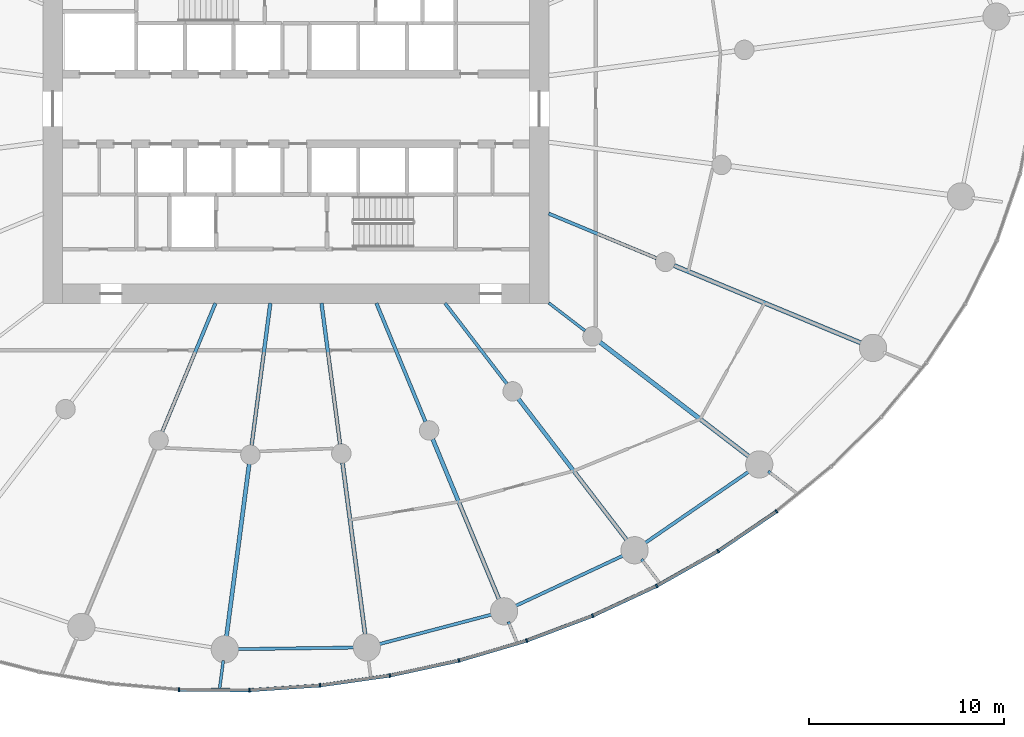
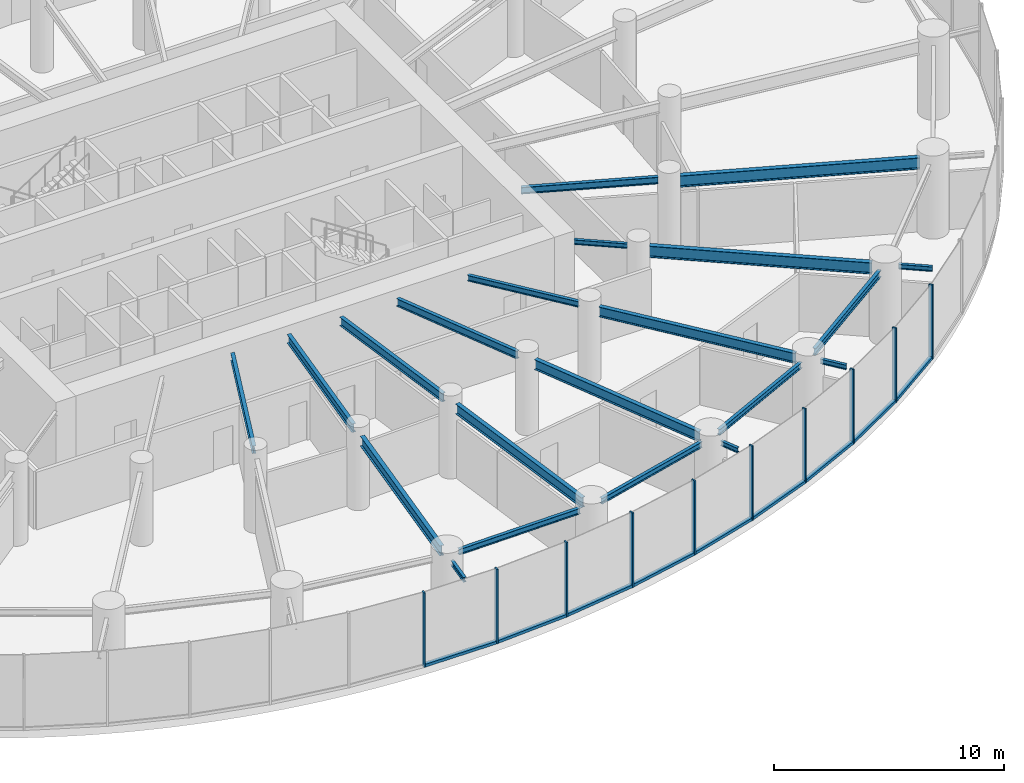
# One storey, part 4 of 19: 21 beams, 19 members, 3 elements without a shape of their own.
"""IFC4 building model written with IfcOpenShell, lengths in metres."""

from ifc_helpers import new_model, si_unit, direction, frame, origin, origin_2d, place, context, subcontext, project, spatial, rectangle, i_section, extrude, source, transform, mapped, material, layer, layer_set, material_profile, profile_set, type_object, element, aggregate, save


model = new_model("IFC4")

# Units and contexts
model_context = context("Model", 3, precision=1e-05, world=origin(), true_north=direction((0.0, 1.0)))
body_context = subcontext(model_context, "Body", "Model", "MODEL_VIEW")
ifc_project = project(units=[si_unit("LENGTHUNIT", "METRE"), si_unit("AREAUNIT", "SQUARE_METRE"), si_unit("VOLUMEUNIT", "CUBIC_METRE"), si_unit("PLANEANGLEUNIT", "RADIAN"), si_unit("MASSUNIT", "GRAM", prefix="KILO")], contexts=[model_context])

# Site, building, storey
site_placement = place(None, origin())
site = spatial("IfcSite", under=ifc_project, at=site_placement, CompositionType="ELEMENT")
building_placement = place(site_placement, origin())
building = spatial("IfcBuilding", under=site, at=building_placement, Name="Spindrift Exchange Tower", CompositionType="ELEMENT")
storey_placement = place(building_placement, frame((0.0, 0.0, 57.800048828125)))
storey = spatial("IfcBuildingStorey", under=building, at=storey_placement, Name="L13", CompositionType="ELEMENT", Elevation=57.800048828125)

# Beams
ifc_material_1 = material(Name="Steel Grade 300", Category="steel")
ifc_material_profile_1 = material_profile(ifc_material_1, i_section(OverallWidth=0.177978515625, OverallDepth=0.406005859375, WebThickness=0.0078125, FlangeThickness=0.0126953125, FilletRadius=0.013916015625, at=origin_2d()), Name="410UB59.7")
ifc_profile_set_1 = profile_set([ifc_material_profile_1], Name="Steel Grade 300")
beam_type_1 = type_object("IfcBeamType", Name="Floor Beam 410UB59.7 Steel Grade 300", PredefinedType="BEAM", material=ifc_profile_set_1)
shared_shape_1 = source(origin(), body_context, "Body", "SweptSolid", [
    extrude(i_section(OverallWidth=0.177978515625, OverallDepth=0.406005859375, WebThickness=0.0078125, FlangeThickness=0.0126953125, FilletRadius=0.013916015625, at=origin_2d()), origin(), (0.0, 0.0, 1.0), 7.150634765625),
])
beam_1_placement = place(storey_placement, frame((47.865478515625, 38.0185546875, 3.7470703125), z_axis=(-0.382665393358, -0.923887004306, 0.0), x_axis=(0.923887004306, -0.382665393358, 0.0)))
element("IfcBeam", 1, at=beam_1_placement, inside=storey, type_object=beam_type_1, Name="L13 radial beam R17A", PredefinedType="BEAM", context=body_context, shape_type="MappedRepresentation", body=[
    mapped(shared_shape_1, transform((0.0, 0.0, 0.0), scale=1.0)),
])
ifc_material_profile_2 = material_profile(ifc_material_1, i_section(OverallWidth=0.18994140625, OverallDepth=0.45703125, WebThickness=0.009033203125, FlangeThickness=0.014404296875, FilletRadius=0.013916015625, at=origin_2d()), Name="460UB74.6")
ifc_profile_set_2 = profile_set([ifc_material_profile_2], Name="Steel Grade 300")
beam_type_2 = type_object("IfcBeamType", Name="Floor Beam 460UB74.6 Steel Grade 300", PredefinedType="BEAM", material=ifc_profile_set_2)
shared_shape_2 = source(origin(), body_context, "Body", "SweptSolid", [
    extrude(i_section(OverallWidth=0.18994140625, OverallDepth=0.45703125, WebThickness=0.009033203125, FlangeThickness=0.014404296875, FilletRadius=0.013916015625, at=origin_2d()), origin(), (0.0, 0.0, 1.0), 7.374267578125),
])
beam_2_placement = place(storey_placement, frame((50.68603515625, 38.019775390625, 3.721435546875), z_axis=(-0.130539295622, -0.99144313619, 0.0), x_axis=(0.99144313619, -0.130539295622, 0.0)))
element("IfcBeam", 2, at=beam_2_placement, inside=storey, type_object=beam_type_2, Name="L13 radial beam R18A", PredefinedType="BEAM", context=body_context, shape_type="MappedRepresentation", body=[
    mapped(shared_shape_2, transform((0.0, 0.0, 0.0), scale=1.0)),
])
ifc_material_profile_3 = material_profile(ifc_material_1, i_section(OverallWidth=0.208984375, OverallDepth=0.532958984375, WebThickness=0.01025390625, FlangeThickness=0.015625, FilletRadius=0.013916015625, at=origin_2d()), Name="530UB92.4")
ifc_profile_set_3 = profile_set([ifc_material_profile_3], Name="Steel Grade 300")
beam_type_3 = type_object("IfcBeamType", Name="Floor Beam 530UB92.4 Steel Grade 300", PredefinedType="BEAM", material=ifc_profile_set_3)
shared_shape_3 = source(origin(), body_context, "Body", "SweptSolid", [
    extrude(i_section(OverallWidth=0.208984375, OverallDepth=0.532958984375, WebThickness=0.01025390625, FlangeThickness=0.015625, FilletRadius=0.013916015625, at=origin_2d()), origin(), (0.0, 0.0, 1.0), 9.020263671875),
])
beam_3_placement = place(storey_placement, frame((49.59814453125, 29.7568359375, 3.683349609375), z_axis=(-0.13051122338, -0.991446831944, 0.0), x_axis=(0.991446831944, -0.13051122338, 0.0)))
element("IfcBeam", 3, at=beam_3_placement, inside=storey, type_object=beam_type_3, Name="L13 radial beam R18B", PredefinedType="BEAM", context=body_context, shape_type="MappedRepresentation", body=[
    mapped(shared_shape_3, transform((0.0, 0.0, 0.0), scale=1.0)),
])
shared_shape_4 = source(origin(), body_context, "Body", "SweptSolid", [
    extrude(i_section(OverallWidth=0.18994140625, OverallDepth=0.45703125, WebThickness=0.009033203125, FlangeThickness=0.014404296875, FilletRadius=0.013916015625, at=origin_2d()), origin(), (0.0, 0.0, 1.0), 7.3095703125),
])
beam_4_placement = place(storey_placement, frame((53.31396484375, 38.019775390625, 3.721435546875), z_axis=(0.130527087244, -0.991444743541, 0.0), x_axis=(0.991444743541, 0.130527087244, 0.0)))
element("IfcBeam", 4, at=beam_4_placement, inside=storey, type_object=beam_type_2, Name="L13 radial beam R19A", PredefinedType="BEAM", context=body_context, shape_type="MappedRepresentation", body=[
    mapped(shared_shape_4, transform((0.0, 0.0, 0.0), scale=1.0)),
])
shared_shape_5 = source(origin(), body_context, "Body", "SweptSolid", [
    extrude(i_section(OverallWidth=0.208984375, OverallDepth=0.532958984375, WebThickness=0.01025390625, FlangeThickness=0.015625, FilletRadius=0.013916015625, at=origin_2d()), origin(), (0.0, 0.0, 1.0), 8.98388671875),
])
beam_5_placement = place(storey_placement, frame((54.393310546875, 29.82080078125, 3.683349609375), z_axis=(0.130524106785, -0.991445135924, 0.0), x_axis=(0.991445135924, 0.130524106785, 0.0)))
element("IfcBeam", 5, at=beam_5_placement, inside=storey, type_object=beam_type_3, Name="L13 radial beam R19B", PredefinedType="BEAM", context=body_context, shape_type="MappedRepresentation", body=[
    mapped(shared_shape_5, transform((0.0, 0.0, 0.0), scale=1.0)),
])
shared_shape_6 = source(origin(), body_context, "Body", "SweptSolid", [
    extrude(i_section(OverallWidth=0.177978515625, OverallDepth=0.406005859375, WebThickness=0.0078125, FlangeThickness=0.0126953125, FilletRadius=0.013916015625, at=origin_2d()), origin(), (0.0, 0.0, 1.0), 6.594482421875),
])
beam_6_placement = place(storey_placement, frame((56.134521484375, 38.0185546875, 3.7470703125), z_axis=(0.382692929746, -0.92387559851, 0.0), x_axis=(0.92387559851, 0.382692929746, 0.0)))
element("IfcBeam", 6, at=beam_6_placement, inside=storey, type_object=beam_type_1, Name="L13 radial beam R20A", PredefinedType="BEAM", context=body_context, shape_type="MappedRepresentation", body=[
    mapped(shared_shape_6, transform((0.0, 0.0, 0.0), scale=1.0)),
])
shared_shape_7 = source(origin(), body_context, "Body", "SweptSolid", [
    extrude(i_section(OverallWidth=0.208984375, OverallDepth=0.532958984375, WebThickness=0.01025390625, FlangeThickness=0.015625, FilletRadius=0.013916015625, at=origin_2d()), origin(), (0.0, 0.0, 1.0), 8.99658203125),
])
beam_7_placement = place(storey_placement, frame((59.025390625, 31.0390625, 3.683349609375), z_axis=(0.382685731718, -0.923878580085, 0.0), x_axis=(0.923878580085, 0.382685731718, 0.0)))
element("IfcBeam", 7, at=beam_7_placement, inside=storey, type_object=beam_type_3, Name="L13 radial beam R20B", PredefinedType="BEAM", context=body_context, shape_type="MappedRepresentation", body=[
    mapped(shared_shape_7, transform((0.0, 0.0, 0.0), scale=1.0)),
])
ifc_material_profile_4 = material_profile(ifc_material_1, i_section(OverallWidth=0.1650390625, OverallDepth=0.303955078125, WebThickness=0.006103515625, FlangeThickness=0.01025390625, FilletRadius=0.011474609375, at=origin_2d()), Name="310UB40.4")
ifc_profile_set_4 = profile_set([ifc_material_profile_4], Name="Steel Grade 300")
beam_type_4 = type_object("IfcBeamType", Name="Floor Beam 310UB40.4 Steel Grade 300", PredefinedType="BEAM", material=ifc_profile_set_4)
shared_shape_8 = source(origin(), body_context, "Body", "SweptSolid", [
    extrude(i_section(OverallWidth=0.1650390625, OverallDepth=0.303955078125, WebThickness=0.006103515625, FlangeThickness=0.01025390625, FilletRadius=0.011474609375, at=origin_2d()), origin(), (0.0, 0.0, 1.0), 5.224609375),
])
beam_8_placement = place(storey_placement, frame((59.6611328125, 38.015869140625, 3.7978515625), z_axis=(0.608741499316, -0.793368632485, 0.0), x_axis=(0.793368632485, 0.608741499316, 0.0)))
element("IfcBeam", 8, at=beam_8_placement, inside=storey, type_object=beam_type_4, Name="L13 radial beam R21A", PredefinedType="BEAM", context=body_context, shape_type="MappedRepresentation", body=[
    mapped(shared_shape_8, transform((0.0, 0.0, 0.0), scale=1.0)),
])
shared_shape_9 = source(origin(), body_context, "Body", "SweptSolid", [
    extrude(i_section(OverallWidth=0.208984375, OverallDepth=0.532958984375, WebThickness=0.01025390625, FlangeThickness=0.015625, FilletRadius=0.013916015625, at=origin_2d()), origin(), (0.0, 0.0, 1.0), 9.227783203125),
])
beam_9_placement = place(storey_placement, frame((63.426025390625, 33.109375, 3.683349609375), z_axis=(0.608747534474, -0.79336400175, 0.0), x_axis=(0.79336400175, 0.608747534474, 0.0)))
element("IfcBeam", 9, at=beam_9_placement, inside=storey, type_object=beam_type_3, Name="L13 radial beam R21B", PredefinedType="BEAM", context=body_context, shape_type="MappedRepresentation", body=[
    mapped(shared_shape_9, transform((0.0, 0.0, 0.0), scale=1.0)),
])
ifc_material_profile_5 = material_profile(ifc_material_1, i_section(OverallWidth=0.14599609375, OverallDepth=0.251953125, WebThickness=0.006103515625, FlangeThickness=0.008544921875, FilletRadius=0.011962890625, at=origin_2d()), Name="250UB31.4")
ifc_profile_set_5 = profile_set([ifc_material_profile_5], Name="Steel Grade 300")
beam_type_5 = type_object("IfcBeamType", Name="Floor Beam 250UB31.4 Steel Grade 300", PredefinedType="BEAM", material=ifc_profile_set_5)
shared_shape_10 = source(origin(), body_context, "Body", "SweptSolid", [
    extrude(i_section(OverallWidth=0.14599609375, OverallDepth=0.251953125, WebThickness=0.006103515625, FlangeThickness=0.008544921875, FilletRadius=0.011962890625, at=origin_2d()), origin(), (0.0, 0.0, 1.0), 2.353759765625),
])
beam_10_placement = place(storey_placement, frame((64.984130859375, 38.036865234375, 3.823974609375), z_axis=(0.793367573265, -0.608742879787, 0.0), x_axis=(0.608742879787, 0.793367573265, 0.0)))
element("IfcBeam", 10, at=beam_10_placement, inside=storey, type_object=beam_type_5, Name="L13 radial beam R22A", PredefinedType="BEAM", context=body_context, shape_type="MappedRepresentation", body=[
    mapped(shared_shape_10, transform((0.0, 0.0, 0.0), scale=1.0)),
])
ifc_material_profile_6 = material_profile(ifc_material_1, i_section(OverallWidth=0.22802734375, OverallDepth=0.60693359375, WebThickness=0.01123046875, FlangeThickness=0.017333984375, FilletRadius=0.013916015625, at=origin_2d()), Name="610UB113")
ifc_profile_set_6 = profile_set([ifc_material_profile_6], Name="Steel Grade 300")
beam_type_6 = type_object("IfcBeamType", Name="Floor Beam 610UB113 Steel Grade 300", PredefinedType="BEAM", material=ifc_profile_set_6)
shared_shape_11 = source(origin(), body_context, "Body", "SweptSolid", [
    extrude(i_section(OverallWidth=0.22802734375, OverallDepth=0.60693359375, WebThickness=0.01123046875, FlangeThickness=0.017333984375, FilletRadius=0.013916015625, at=origin_2d()), origin(), (0.0, 0.0, 1.0), 9.73974609375),
])
beam_11_placement = place(storey_placement, frame((67.61328125, 36.01953125, 3.646484375), z_axis=(0.793352119621, -0.608763019814, 0.0), x_axis=(0.608763019814, 0.793352119621, 0.0)))
element("IfcBeam", 11, at=beam_11_placement, inside=storey, type_object=beam_type_6, Name="L13 radial beam R22B", PredefinedType="BEAM", context=body_context, shape_type="MappedRepresentation", body=[
    mapped(shared_shape_11, transform((0.0, 0.0, 0.0), scale=1.0)),
])
ifc_material_profile_7 = material_profile(ifc_material_1, i_section(OverallWidth=0.172119140625, OverallDepth=0.35888671875, WebThickness=0.008056640625, FlangeThickness=0.012939453125, FilletRadius=0.013916015625, at=origin_2d()), Name="360UB56.7")
ifc_profile_set_7 = profile_set([ifc_material_profile_7], Name="Steel Grade 300")
beam_type_7 = type_object("IfcBeamType", Name="Floor Beam 360UB56.7 Steel Grade 300", PredefinedType="BEAM", material=ifc_profile_set_7)
shared_shape_12 = source(origin(), body_context, "Body", "SweptSolid", [
    extrude(i_section(OverallWidth=0.172119140625, OverallDepth=0.35888671875, WebThickness=0.008056640625, FlangeThickness=0.012939453125, FilletRadius=0.013916015625, at=origin_2d()), origin(), (0.0, 0.0, 1.0), 6.004638671875),
])
beam_12_placement = place(storey_placement, frame((64.9814453125, 42.622802734375, 3.7705078125), z_axis=(0.923882044911, -0.38267736684, 0.0), x_axis=(0.38267736684, 0.923882044911, 0.0)))
element("IfcBeam", 12, at=beam_12_placement, inside=storey, type_object=beam_type_7, Name="L13 radial beam R23A", PredefinedType="BEAM", context=body_context, shape_type="MappedRepresentation", body=[
    mapped(shared_shape_12, transform((0.0, 0.0, 0.0), scale=1.0)),
])
shared_shape_13 = source(origin(), body_context, "Body", "SweptSolid", [
    extrude(i_section(OverallWidth=0.22802734375, OverallDepth=0.60693359375, WebThickness=0.01123046875, FlangeThickness=0.017333984375, FilletRadius=0.013916015625, at=origin_2d()), origin(), (0.0, 0.0, 1.0), 10.4912109375),
])
beam_13_placement = place(storey_placement, frame((71.416015625, 39.95751953125, 3.646484375), z_axis=(0.923885231151, -0.382669674342, 0.0), x_axis=(0.382669674342, 0.923885231151, 0.0)))
element("IfcBeam", 13, at=beam_13_placement, inside=storey, type_object=beam_type_6, Name="L13 radial beam R23B", PredefinedType="BEAM", context=body_context, shape_type="MappedRepresentation", body=[
    mapped(shared_shape_13, transform((0.0, 0.0, 0.0), scale=1.0)),
])
ifc_material_profile_8 = material_profile(ifc_material_1, i_section(OverallWidth=0.1650390625, OverallDepth=0.303955078125, WebThickness=0.006103515625, FlangeThickness=0.01025390625, FilletRadius=0.011474609375, at=origin_2d()), Name="310UB40.4")
ifc_profile_set_8 = profile_set([ifc_material_profile_8], Name="Steel Grade 300")
beam_type_8 = type_object("IfcBeamType", Name="Edge Beam 310UB40.4 Steel Grade 300", PredefinedType="SPANDREL", material=ifc_profile_set_8)
shared_shape_14 = source(origin(), body_context, "Body", "SweptSolid", [
    extrude(i_section(OverallWidth=0.1650390625, OverallDepth=0.303955078125, WebThickness=0.006103515625, FlangeThickness=0.01025390625, FilletRadius=0.011474609375, at=origin_2d()), origin(), (0.0, 0.0, 1.0), 6.13720703125),
])
beam_14_placement = place(storey_placement, frame((48.925048828125, 20.24658203125, 3.7978515625), z_axis=(0.999905820907, 0.013724041543, 0.0), x_axis=(-0.013724041543, 0.999905820907, 0.0)))
element("IfcBeam", 14, at=beam_14_placement, inside=storey, type_object=beam_type_8, Name="L13 edge beam E18", PredefinedType="SPANDREL", context=body_context, shape_type="MappedRepresentation", body=[
    mapped(shared_shape_14, transform((0.0, 0.0, 0.0), scale=1.0)),
])
shared_shape_15 = source(origin(), body_context, "Body", "SweptSolid", [
    extrude(i_section(OverallWidth=0.1650390625, OverallDepth=0.303955078125, WebThickness=0.006103515625, FlangeThickness=0.01025390625, FilletRadius=0.011474609375, at=origin_2d()), origin(), (0.0, 0.0, 1.0), 6.128173828125),
])
beam_15_placement = place(storey_placement, frame((56.20263671875, 20.486083984375, 3.7978515625), z_axis=(0.967147261855, 0.254216785216, 0.0), x_axis=(-0.254216785216, 0.967147261855, 0.0)))
element("IfcBeam", 15, at=beam_15_placement, inside=storey, type_object=beam_type_8, Name="L13 edge beam E19", PredefinedType="SPANDREL", context=body_context, shape_type="MappedRepresentation", body=[
    mapped(shared_shape_15, transform((0.0, 0.0, 0.0), scale=1.0)),
])
shared_shape_16 = source(origin(), body_context, "Body", "SweptSolid", [
    extrude(i_section(OverallWidth=0.1650390625, OverallDepth=0.303955078125, WebThickness=0.006103515625, FlangeThickness=0.01025390625, FilletRadius=0.011474609375, at=origin_2d()), origin(), (0.0, 0.0, 1.0), 6.243408203125),
])
beam_16_placement = place(storey_placement, frame((63.2158203125, 22.43701171875, 3.7978515625), z_axis=(0.905791146607, 0.423724437257, 0.0), x_axis=(-0.423724437257, 0.905791146607, 0.0)))
element("IfcBeam", 16, at=beam_16_placement, inside=storey, type_object=beam_type_8, Name="L13 edge beam E20", PredefinedType="SPANDREL", context=body_context, shape_type="MappedRepresentation", body=[
    mapped(shared_shape_16, transform((0.0, 0.0, 0.0), scale=1.0)),
])
ifc_material_profile_9 = material_profile(ifc_material_1, i_section(OverallWidth=0.172119140625, OverallDepth=0.35888671875, WebThickness=0.008056640625, FlangeThickness=0.012939453125, FilletRadius=0.013916015625, at=origin_2d()), Name="360UB56.7")
ifc_profile_set_9 = profile_set([ifc_material_profile_9], Name="Steel Grade 300")
beam_type_9 = type_object("IfcBeamType", Name="Edge Beam 360UB56.7 Steel Grade 300", PredefinedType="SPANDREL", material=ifc_profile_set_9)
shared_shape_17 = source(origin(), body_context, "Body", "SweptSolid", [
    extrude(i_section(OverallWidth=0.172119140625, OverallDepth=0.35888671875, WebThickness=0.008056640625, FlangeThickness=0.012939453125, FilletRadius=0.013916015625, at=origin_2d()), origin(), (0.0, 0.0, 1.0), 6.614990234375),
])
beam_17_placement = place(storey_placement, frame((69.874267578125, 25.6572265625, 3.7705078125), z_axis=(0.823690708835, 0.567039342708, 0.0), x_axis=(-0.567039342708, 0.823690708835, 0.0)))
element("IfcBeam", 17, at=beam_17_placement, inside=storey, type_object=beam_type_9, Name="L13 edge beam E21", PredefinedType="SPANDREL", context=body_context, shape_type="MappedRepresentation", body=[
    mapped(shared_shape_17, transform((0.0, 0.0, 0.0), scale=1.0)),
])
ifc_material_profile_10 = material_profile(ifc_material_1, i_section(OverallWidth=0.14599609375, OverallDepth=0.251953125, WebThickness=0.006103515625, FlangeThickness=0.008544921875, FilletRadius=0.011962890625, at=origin_2d()), Name="250UB31.4")
ifc_profile_set_10 = profile_set([ifc_material_profile_10], Name="Steel Grade 300")
beam_type_10 = type_object("IfcBeamType", Name="Cantilever Beam 250UB31.4 Steel Grade 300", PredefinedType="BEAM", material=ifc_profile_set_10)
shared_shape_18 = source(origin(), body_context, "Body", "SweptSolid", [
    extrude(i_section(OverallWidth=0.14599609375, OverallDepth=0.251953125, WebThickness=0.006103515625, FlangeThickness=0.008544921875, FilletRadius=0.011962890625, at=origin_2d()), origin(), (0.0, 0.0, 1.0), 1.453125),
])
beam_18_placement = place(storey_placement, frame((48.269287109375, 19.66357421875, 3.823974609375), z_axis=(-0.130380626225, -0.991464014629, 0.0), x_axis=(0.991464014629, -0.130380626225, 0.0)))
element("IfcBeam", 18, at=beam_18_placement, inside=storey, type_object=beam_type_10, Name="L13 cantilever beam R18T", PredefinedType="BEAM", context=body_context, shape_type="MappedRepresentation", body=[
    mapped(shared_shape_18, transform((0.0, 0.0, 0.0), scale=1.0)),
])
shared_shape_19 = source(origin(), body_context, "Body", "SweptSolid", [
    extrude(i_section(OverallWidth=0.14599609375, OverallDepth=0.251953125, WebThickness=0.006103515625, FlangeThickness=0.008544921875, FilletRadius=0.011962890625, at=origin_2d()), origin(), (0.0, 0.0, 1.0), 0.92138671875),
])
beam_19_placement = place(storey_placement, frame((62.912109375, 21.655517578125, 3.823974609375), z_axis=(0.382921262759, -0.923780984069, 0.0), x_axis=(0.923780984069, 0.382921262759, 0.0)))
element("IfcBeam", 19, at=beam_19_placement, inside=storey, type_object=beam_type_10, Name="L13 cantilever beam R20T", PredefinedType="BEAM", context=body_context, shape_type="MappedRepresentation", body=[
    mapped(shared_shape_19, transform((0.0, 0.0, 0.0), scale=1.0)),
])
shared_shape_20 = source(origin(), body_context, "Body", "SweptSolid", [
    extrude(i_section(OverallWidth=0.14599609375, OverallDepth=0.251953125, WebThickness=0.006103515625, FlangeThickness=0.008544921875, FilletRadius=0.011962890625, at=origin_2d()), origin(), (0.0, 0.0, 1.0), 1.209716796875),
])
beam_20_placement = place(storey_placement, frame((69.749755859375, 24.8681640625, 3.823974609375), z_axis=(0.608617930823, -0.793463429706, 0.0), x_axis=(0.793463429706, 0.608617930823, 0.0)))
element("IfcBeam", 20, at=beam_20_placement, inside=storey, type_object=beam_type_10, Name="L13 cantilever beam R21T", PredefinedType="BEAM", context=body_context, shape_type="MappedRepresentation", body=[
    mapped(shared_shape_20, transform((0.0, 0.0, 0.0), scale=1.0)),
])
shared_shape_21 = source(origin(), body_context, "Body", "SweptSolid", [
    extrude(i_section(OverallWidth=0.14599609375, OverallDepth=0.251953125, WebThickness=0.006103515625, FlangeThickness=0.008544921875, FilletRadius=0.011962890625, at=origin_2d()), origin(), (0.0, 0.0, 1.0), 1.48291015625),
])
beam_21_placement = place(storey_placement, frame((76.2607421875, 29.384033203125, 3.823974609375), z_axis=(0.793333363802, -0.608787461992, 0.0), x_axis=(0.608787461992, 0.793333363802, 0.0)))
element("IfcBeam", 21, at=beam_21_placement, inside=storey, type_object=beam_type_10, Name="L13 cantilever beam R22T", PredefinedType="BEAM", context=body_context, shape_type="MappedRepresentation", body=[
    mapped(shared_shape_21, transform((0.0, 0.0, 0.0), scale=1.0)),
])

# Curtain wall, member
ifc_material_2 = material(Name="Fritted laminated glass with bronze frame", Category="glass")
ifc_layer = layer(ifc_material_2, 0.199951171875)
ifc_layer_set = layer_set([ifc_layer], Name="ZONE 1 BRONZE FRITTED WALL")
curtain_wall_type = type_object("IfcCurtainWallType", Name="ZONE 1 BRONZE FRITTED WALL", PredefinedType="NOTDEFINED", material=ifc_layer_set)
curtain_wall_1_placement = place(storey_placement, origin())
curtain_wall_1 = element("IfcCurtainWall", 22, at=curtain_wall_1_placement, inside=storey, type_object=curtain_wall_type, Name="L13 Zone 1 Bronze Fritted Wall run 7", PredefinedType="NOTDEFINED")
ifc_material_3 = material(Name="Bronze anodised aluminium", Category="aluminium")
ifc_material_profile_11 = material_profile(ifc_material_3, rectangle(XDim=0.080078125, YDim=0.199951171875, at=origin_2d()), Name="ZONE 1 BRONZE FRITTED WALL MULLION 80X200")
ifc_profile_set_11 = profile_set([ifc_material_profile_11], Name="Bronze anodised aluminium")
member_type_1 = type_object("IfcMemberType", Name="ZONE 1 BRONZE FRITTED WALL MULLION 80X200", PredefinedType="MULLION", material=ifc_profile_set_11)
shared_shape_22 = source(origin(), body_context, "Body", "SweptSolid", [
    extrude(rectangle(XDim=0.080078125, YDim=0.199951171875, at=origin_2d()), origin(), (0.0, 0.0, 1.0), 3.949951171875),
])
member_1_placement = place(storey_placement, frame((45.988037109375, 18.17041015625, 0.0), z_axis=(0.0, 0.0, 1.0), x_axis=(0.998915668471, -0.046556280823, 0.0)))
member_1 = element("IfcMember", 23, at=member_1_placement, type_object=member_type_1, Name="L13 mullion CW-1.42", PredefinedType="MULLION", context=body_context, shape_type="MappedRepresentation", body=[
    mapped(shared_shape_22, transform((0.0, 0.0, 0.0), scale=1.0)),
])

# Curtain wall, members
curtain_wall_2_placement = place(storey_placement, origin())
curtain_wall_2 = element("IfcCurtainWall", 24, at=curtain_wall_2_placement, inside=storey, type_object=curtain_wall_type, Name="L13 Zone 1 Bronze Fritted Wall run 8", PredefinedType="NOTDEFINED")
member_2_placement = place(storey_placement, frame((49.615234375, 18.1416015625, 0.0), z_axis=(0.0, 0.0, 1.0), x_axis=(0.999565871959, 0.029462987211, 0.0)))
member_2 = element("IfcMember", 25, at=member_2_placement, type_object=member_type_1, Name="L13 mullion CW-1.43", PredefinedType="MULLION", context=body_context, shape_type="MappedRepresentation", body=[
    mapped(shared_shape_22, transform((0.0, 0.0, 0.0), scale=1.0)),
])
member_3_placement = place(storey_placement, frame((53.234619140625, 18.384033203125, 0.0), z_axis=(0.0, 0.0, 1.0), x_axis=(0.994633251449, 0.103463496523, 0.0)))
member_3 = element("IfcMember", 26, at=member_3_placement, type_object=member_type_1, Name="L13 mullion CW-1.44", PredefinedType="MULLION", context=body_context, shape_type="MappedRepresentation", body=[
    mapped(shared_shape_22, transform((0.0, 0.0, 0.0), scale=1.0)),
])
member_4_placement = place(storey_placement, frame((56.826171875, 18.8916015625, 0.0), z_axis=(0.0, 0.0, 1.0), x_axis=(0.984407174982, 0.175904843153, 0.0)))
member_4 = element("IfcMember", 27, at=member_4_placement, type_object=member_type_1, Name="L13 mullion CW-1.45", PredefinedType="MULLION", context=body_context, shape_type="MappedRepresentation", body=[
    mapped(shared_shape_22, transform((0.0, 0.0, 0.0), scale=1.0)),
])
member_5_placement = place(storey_placement, frame((60.371337890625, 19.659423828125, 0.0), z_axis=(0.0, 0.0, 1.0), x_axis=(0.968964679359, 0.247199211477, 0.0)))
member_5 = element("IfcMember", 28, at=member_5_placement, type_object=member_type_1, Name="L13 mullion CW-1.46", PredefinedType="MULLION", context=body_context, shape_type="MappedRepresentation", body=[
    mapped(shared_shape_22, transform((0.0, 0.0, 0.0), scale=1.0)),
])
member_6_placement = place(storey_placement, frame((63.851318359375, 20.683837890625, 0.0), z_axis=(0.0, 0.0, 1.0), x_axis=(0.948171487019, 0.317759077295, 0.0)))
member_6 = element("IfcMember", 29, at=member_6_placement, type_object=member_type_1, Name="L13 mullion CW-1.47", PredefinedType="MULLION", context=body_context, shape_type="MappedRepresentation", body=[
    mapped(shared_shape_22, transform((0.0, 0.0, 0.0), scale=1.0)),
])
member_7_placement = place(storey_placement, frame((67.24560546875, 21.963134765625, 0.0), z_axis=(0.0, 0.0, 1.0), x_axis=(0.921696666334, 0.387911401314, 0.0)))
member_7 = element("IfcMember", 30, at=member_7_placement, type_object=member_type_1, Name="L13 mullion CW-1.48", PredefinedType="MULLION", context=body_context, shape_type="MappedRepresentation", body=[
    mapped(shared_shape_22, transform((0.0, 0.0, 0.0), scale=1.0)),
])

curtain_wall_3_placement = place(storey_placement, origin())
curtain_wall_3 = element("IfcCurtainWall", 31, at=curtain_wall_3_placement, inside=storey, type_object=curtain_wall_type, Name="L13 Zone 1 Bronze Fritted Wall run 9", PredefinedType="NOTDEFINED")
member_8_placement = place(storey_placement, frame((70.532958984375, 23.49609375, 0.0), z_axis=(0.0, 0.0, 1.0), x_axis=(0.888988187367, 0.457930128646, 0.0)))
member_8 = element("IfcMember", 32, at=member_8_placement, type_object=member_type_1, Name="L13 mullion CW-1.49", PredefinedType="MULLION", context=body_context, shape_type="MappedRepresentation", body=[
    mapped(shared_shape_22, transform((0.0, 0.0, 0.0), scale=1.0)),
])
member_9_placement = place(storey_placement, frame((73.689697265625, 25.28271484375, 0.0), z_axis=(0.0, 0.0, 1.0), x_axis=(0.849251017437, 0.527989308019, 0.0)))
member_9 = element("IfcMember", 33, at=member_9_placement, type_object=member_type_1, Name="L13 mullion CW-1.50", PredefinedType="MULLION", context=body_context, shape_type="MappedRepresentation", body=[
    mapped(shared_shape_22, transform((0.0, 0.0, 0.0), scale=1.0)),
])
member_10_placement = place(storey_placement, frame((76.6884765625, 27.322998046875, 0.0), z_axis=(0.0, 0.0, 1.0), x_axis=(0.801437814953, 0.598078112593, 0.0)))
member_10 = element("IfcMember", 34, at=member_10_placement, type_object=member_type_1, Name="L13 mullion CW-1.51", PredefinedType="MULLION", context=body_context, shape_type="MappedRepresentation", body=[
    mapped(shared_shape_22, transform((0.0, 0.0, 0.0), scale=1.0)),
])

# Member
ifc_material_profile_12 = material_profile(ifc_material_3, rectangle(XDim=0.179931640625, YDim=0.14990234375, at=origin_2d()), Name="ZONE 1 BRONZE FRITTED WALL TRANSOM 180X150")
ifc_profile_set_12 = profile_set([ifc_material_profile_12], Name="Bronze anodised aluminium")
member_type_2 = type_object("IfcMemberType", Name="ZONE 1 BRONZE FRITTED WALL TRANSOM 180X150", PredefinedType="USERDEFINED", material=ifc_profile_set_12)
shared_shape_23 = source(origin(), body_context, "Body", "SweptSolid", [
    extrude(rectangle(XDim=0.179931640625, YDim=0.14990234375, at=origin_2d()), origin(), (0.0, 0.0, 1.0), 3.54736328125),
])
member_11_placement = place(storey_placement, frame((49.655029296875, 18.144287109375, 0.074951171875), z_axis=(0.997764708281, 0.066825047023, 0.0), x_axis=(-0.066825047023, 0.997764708281, 0.0)))
member_11 = element("IfcMember", 35, at=member_11_placement, type_object=member_type_2, Name="L13 transom CW-1.43", ObjectType="TRANSOM", PredefinedType="USERDEFINED", context=body_context, shape_type="MappedRepresentation", body=[
    mapped(shared_shape_23, transform((0.0, 0.0, 0.0), scale=1.0)),
])

member_12_placement = place(storey_placement, frame((53.274169921875, 18.3896484375, 0.074951171875), z_axis=(0.990163081717, 0.139918088909, 0.0), x_axis=(-0.139918088909, 0.990163081717, 0.0)))
member_12 = element("IfcMember", 36, at=member_12_placement, type_object=member_type_2, Name="L13 transom CW-1.44", ObjectType="TRANSOM", PredefinedType="USERDEFINED", context=body_context, shape_type="MappedRepresentation", body=[
    mapped(shared_shape_23, transform((0.0, 0.0, 0.0), scale=1.0)),
])

member_13_placement = place(storey_placement, frame((56.865234375, 18.900146484375, 0.074951171875), z_axis=(0.977349956388, 0.211629541292, 0.0), x_axis=(-0.211629541292, 0.977349956388, 0.0)))
member_13 = element("IfcMember", 37, at=member_13_placement, type_object=member_type_2, Name="L13 transom CW-1.45", ObjectType="TRANSOM", PredefinedType="USERDEFINED", context=body_context, shape_type="MappedRepresentation", body=[
    mapped(shared_shape_23, transform((0.0, 0.0, 0.0), scale=1.0)),
])

member_14_placement = place(storey_placement, frame((63.888671875, 20.697998046875, 0.074951171875), z_axis=(0.935750910855, 0.352661640719, 0.0), x_axis=(-0.352661640719, 0.935750910855, 0.0)))
member_14 = element("IfcMember", 38, at=member_14_placement, type_object=member_type_2, Name="L13 transom CW-1.47", ObjectType="TRANSOM", PredefinedType="USERDEFINED", context=body_context, shape_type="MappedRepresentation", body=[
    mapped(shared_shape_23, transform((0.0, 0.0, 0.0), scale=1.0)),
])

member_15_placement = place(storey_placement, frame((70.567626953125, 23.515625, 0.074951171875), z_axis=(0.870272998156, 0.492569699312, 0.0), x_axis=(-0.492569699312, 0.870272998156, 0.0)))
member_15 = element("IfcMember", 39, at=member_15_placement, type_object=member_type_2, Name="L13 transom CW-1.49", ObjectType="TRANSOM", PredefinedType="USERDEFINED", context=body_context, shape_type="MappedRepresentation", body=[
    mapped(shared_shape_23, transform((0.0, 0.0, 0.0), scale=1.0)),
])

member_16_placement = place(storey_placement, frame((73.72265625, 25.30517578125, 0.074951171875), z_axis=(0.826793347167, 0.562505787597, 0.0), x_axis=(-0.562505787597, 0.826793347167, 0.0)))
member_16 = element("IfcMember", 40, at=member_16_placement, type_object=member_type_2, Name="L13 transom CW-1.50", ObjectType="TRANSOM", PredefinedType="USERDEFINED", context=body_context, shape_type="MappedRepresentation", body=[
    mapped(shared_shape_23, transform((0.0, 0.0, 0.0), scale=1.0)),
])

aggregate(curtain_wall_3, [member_8, member_15, member_9, member_16, member_10])

shared_shape_24 = source(origin(), body_context, "Body", "SweptSolid", [
    extrude(rectangle(XDim=0.179931640625, YDim=0.14990234375, at=origin_2d()), origin(), (0.0, 0.0, 1.0), 3.547119140625),
])
member_17_placement = place(storey_placement, frame((46.028076171875, 18.170166015625, 0.074951171875), z_axis=(0.999968129141, -0.007983777478, 0.0), x_axis=(0.007983777478, 0.999968129141, 0.0)))
member_17 = element("IfcMember", 41, at=member_17_placement, type_object=member_type_2, Name="L13 transom CW-1.42", ObjectType="TRANSOM", PredefinedType="USERDEFINED", context=body_context, shape_type="MappedRepresentation", body=[
    mapped(shared_shape_24, transform((0.0, 0.0, 0.0), scale=1.0)),
])

aggregate(curtain_wall_1, [member_1, member_17])

member_18_placement = place(storey_placement, frame((67.28173828125, 21.97998046875, 0.074951171875), z_axis=(0.906316730066, 0.422599082822, 0.0), x_axis=(-0.422599082822, 0.906316730066, 0.0)))
member_18 = element("IfcMember", 42, at=member_18_placement, type_object=member_type_2, Name="L13 transom CW-1.48", ObjectType="TRANSOM", PredefinedType="USERDEFINED", context=body_context, shape_type="MappedRepresentation", body=[
    mapped(shared_shape_24, transform((0.0, 0.0, 0.0), scale=1.0)),
])

shared_shape_25 = source(origin(), body_context, "Body", "SweptSolid", [
    extrude(rectangle(XDim=0.179931640625, YDim=0.14990234375, at=origin_2d()), origin(), (0.0, 0.0, 1.0), 3.547607421875),
])
member_19_placement = place(storey_placement, frame((60.40966796875, 19.670654296875, 0.074951171875), z_axis=(0.959285464953, 0.28243830606, 0.0), x_axis=(-0.28243830606, 0.959285464953, 0.0)))
member_19 = element("IfcMember", 43, at=member_19_placement, type_object=member_type_2, Name="L13 transom CW-1.46", ObjectType="TRANSOM", PredefinedType="USERDEFINED", context=body_context, shape_type="MappedRepresentation", body=[
    mapped(shared_shape_25, transform((0.0, 0.0, 0.0), scale=1.0)),
])

aggregate(curtain_wall_2, [member_2, member_11, member_3, member_12, member_4, member_13, member_5, member_19, member_6, member_14, member_7, member_18])

save(model, "model.ifc")
